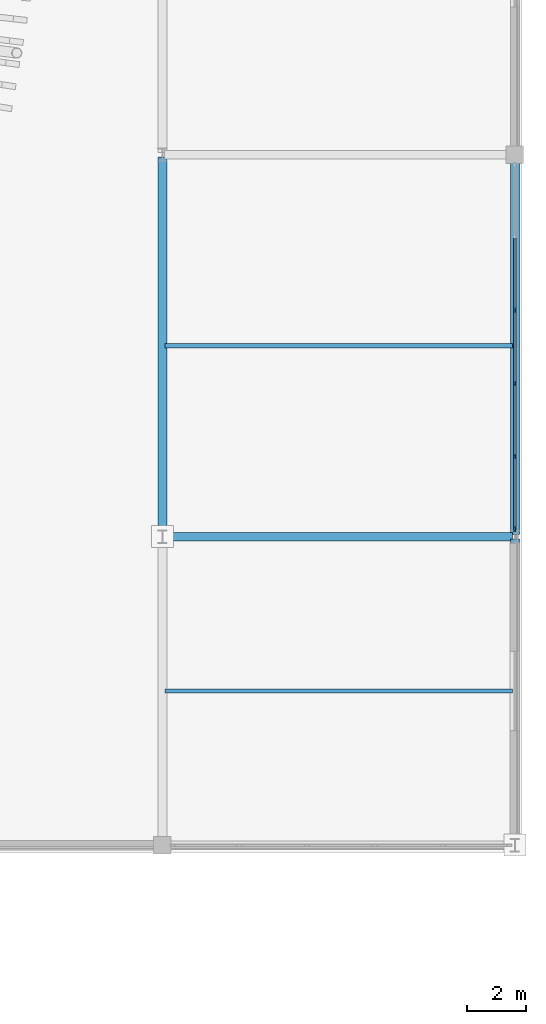
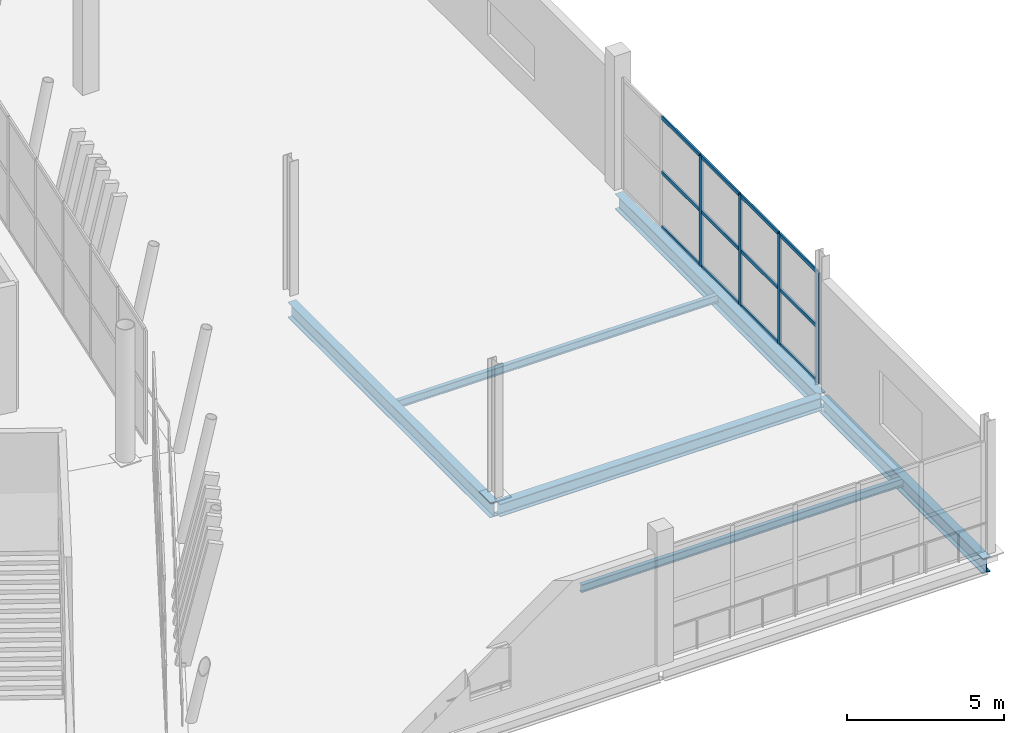
# One storey, part 61 of 178: 16 members, 6 beams, 1 element without a shape of its own.
"""IFC4 building model written with IfcOpenShell, lengths in metres."""

from ifc_helpers import new_model, si_unit, direction, frame, origin, origin_2d, place, context, subcontext, project, spatial, rectangle, i_section, extrude, material, material_profile, profile_set, type_object, element, aggregate, save


model = new_model("IFC4")

# Units and contexts
model_context = context("Model", 3, precision=1e-05, world=origin(), true_north=direction((0.0, 1.0)))
body_context = subcontext(model_context, "Body", "Model", "MODEL_VIEW")
ifc_project = project(units=[si_unit("LENGTHUNIT", "METRE"), si_unit("AREAUNIT", "SQUARE_METRE"), si_unit("VOLUMEUNIT", "CUBIC_METRE"), si_unit("PLANEANGLEUNIT", "RADIAN"), si_unit("MASSUNIT", "GRAM", prefix="KILO")], contexts=[model_context])

# Site, building, storey
site_placement = place(None, origin())
site = spatial("IfcSite", under=ifc_project, at=site_placement, CompositionType="ELEMENT")
building_placement = place(site_placement, origin())
building = spatial("IfcBuilding", under=site, at=building_placement, Name="Zlatoyarsky Gate Stadium", CompositionType="ELEMENT")
storey_placement = place(building_placement, frame((0.0, 0.0, 5.39990234375)))
storey = spatial("IfcBuildingStorey", under=building, at=storey_placement, Name="L01", CompositionType="ELEMENT", Elevation=5.39990234375)

# Curtain wall, members
ifc_material_1 = material(Name="Thermally broken anodised aluminium curtain wall", Category="aluminium")
curtain_wall_type = type_object("IfcCurtainWallType", Name="WINTER GARDEN CONSERVATORY GLAZING", PredefinedType="USERDEFINED", material=ifc_material_1)
curtain_wall_placement = place(storey_placement, origin())
curtain_wall = element("IfcCurtainWall", 1, at=curtain_wall_placement, inside=storey, type_object=curtain_wall_type, Name="Curtain wall CW-V5_EAST-L01-180", ObjectType="UNITISED GLAZING", PredefinedType="USERDEFINED")
ifc_material_2 = material(Name="Anodised aluminium 6063-T6", Category="aluminium")
ifc_material_profile_1 = material_profile(ifc_material_2, rectangle(XDim=0.06494140625, YDim=0.159912109375, at=origin_2d()), Name="ALU 65X160")
ifc_profile_set_1 = profile_set([ifc_material_profile_1], Name="Anodised aluminium 6063-T6")
member_type_1 = type_object("IfcMemberType", Name="ALUMINIUM MULLION 65X160", PredefinedType="MULLION", material=ifc_profile_set_1)
member_1_placement = place(storey_placement, frame((222.0, 54.26953125, 0.0), z_axis=(0.0, 0.0, 1.0), x_axis=(-1.0, 0.0, 0.0)))
member_1 = element("IfcMember", 2, at=member_1_placement, type_object=member_type_1, Name="CW-WG1 mullion 1", PredefinedType="MULLION", context=body_context, shape_type="SweptSolid", body=[
    extrude(rectangle(XDim=0.06494140625, YDim=0.159912109375, at=origin_2d()), origin(), (0.0, 0.0, 1.0), 4.300048828125),
])
member_2_placement = place(storey_placement, frame((222.0, 56.727294921875, 0.0), z_axis=(0.0, 0.0, 1.0), x_axis=(-1.0, 0.0, 0.0)))
member_2 = element("IfcMember", 3, at=member_2_placement, type_object=member_type_1, Name="CW-WG1 mullion 2", PredefinedType="MULLION", context=body_context, shape_type="SweptSolid", body=[
    extrude(rectangle(XDim=0.06494140625, YDim=0.159912109375, at=origin_2d()), origin(), (0.0, 0.0, 1.0), 4.300048828125),
])
member_3_placement = place(storey_placement, frame((222.0, 59.21728515625, 0.0), z_axis=(0.0, 0.0, 1.0), x_axis=(-1.0, 0.0, 0.0)))
member_3 = element("IfcMember", 4, at=member_3_placement, type_object=member_type_1, Name="CW-WG1 mullion 3", PredefinedType="MULLION", context=body_context, shape_type="SweptSolid", body=[
    extrude(rectangle(XDim=0.06494140625, YDim=0.159912109375, at=origin_2d()), origin(), (0.0, 0.0, 1.0), 4.300048828125),
])
member_4_placement = place(storey_placement, frame((222.0, 61.70751953125, 0.0), z_axis=(0.0, 0.0, 1.0), x_axis=(-1.0, 0.0, 0.0)))
member_4 = element("IfcMember", 5, at=member_4_placement, type_object=member_type_1, Name="CW-WG1 mullion 4", PredefinedType="MULLION", context=body_context, shape_type="SweptSolid", body=[
    extrude(rectangle(XDim=0.06494140625, YDim=0.159912109375, at=origin_2d()), origin(), (0.0, 0.0, 1.0), 4.300048828125),
])
ifc_material_profile_2 = material_profile(ifc_material_2, rectangle(XDim=0.06494140625, YDim=0.139892578125, at=origin_2d()), Name="ALU 65X140")
ifc_profile_set_2 = profile_set([ifc_material_profile_2], Name="Anodised aluminium 6063-T6")
member_type_2 = type_object("IfcMemberType", Name="ALUMINIUM TRANSOM 65X140", PredefinedType="USERDEFINED", material=ifc_profile_set_2)
member_5_placement = place(storey_placement, frame((222.0, 54.302001953125, 0.03271484375), z_axis=(0.0, 1.0, 0.0), x_axis=(-1.0, 0.0, 0.0)))
member_5 = element("IfcMember", 6, at=member_5_placement, type_object=member_type_2, Name="CW-WG1 transom 1.1", ObjectType="TRANSOM", PredefinedType="USERDEFINED", context=body_context, shape_type="SweptSolid", body=[
    extrude(rectangle(XDim=0.06494140625, YDim=0.139892578125, at=origin_2d()), origin(), (0.0, 0.0, 1.0), 2.392578125),
])
member_6_placement = place(storey_placement, frame((222.0, 54.302001953125, 2.150146484375), z_axis=(0.0, 1.0, 0.0), x_axis=(-1.0, 0.0, 0.0)))
member_6 = element("IfcMember", 7, at=member_6_placement, type_object=member_type_2, Name="CW-WG1 transom 1.2", ObjectType="TRANSOM", PredefinedType="USERDEFINED", context=body_context, shape_type="SweptSolid", body=[
    extrude(rectangle(XDim=0.06494140625, YDim=0.139892578125, at=origin_2d()), origin(), (0.0, 0.0, 1.0), 2.392578125),
])
member_7_placement = place(storey_placement, frame((222.0, 54.302001953125, 4.267578125), z_axis=(0.0, 1.0, 0.0), x_axis=(-1.0, 0.0, 0.0)))
member_7 = element("IfcMember", 8, at=member_7_placement, type_object=member_type_2, Name="CW-WG1 transom 1.3", ObjectType="TRANSOM", PredefinedType="USERDEFINED", context=body_context, shape_type="SweptSolid", body=[
    extrude(rectangle(XDim=0.06494140625, YDim=0.139892578125, at=origin_2d()), origin(), (0.0, 0.0, 1.0), 2.392578125),
])
member_8_placement = place(storey_placement, frame((222.0, 56.759765625, 0.03271484375), z_axis=(0.0, 1.0, 0.0), x_axis=(-1.0, 0.0, 0.0)))
member_8 = element("IfcMember", 9, at=member_8_placement, type_object=member_type_2, Name="CW-WG1 transom 2.1", ObjectType="TRANSOM", PredefinedType="USERDEFINED", context=body_context, shape_type="SweptSolid", body=[
    extrude(rectangle(XDim=0.06494140625, YDim=0.139892578125, at=origin_2d()), origin(), (0.0, 0.0, 1.0), 2.425048828125),
])
member_9_placement = place(storey_placement, frame((222.0, 56.759765625, 2.150146484375), z_axis=(0.0, 1.0, 0.0), x_axis=(-1.0, 0.0, 0.0)))
member_9 = element("IfcMember", 10, at=member_9_placement, type_object=member_type_2, Name="CW-WG1 transom 2.2", ObjectType="TRANSOM", PredefinedType="USERDEFINED", context=body_context, shape_type="SweptSolid", body=[
    extrude(rectangle(XDim=0.06494140625, YDim=0.139892578125, at=origin_2d()), origin(), (0.0, 0.0, 1.0), 2.425048828125),
])
member_10_placement = place(storey_placement, frame((222.0, 56.759765625, 4.267578125), z_axis=(0.0, 1.0, 0.0), x_axis=(-1.0, 0.0, 0.0)))
member_10 = element("IfcMember", 11, at=member_10_placement, type_object=member_type_2, Name="CW-WG1 transom 2.3", ObjectType="TRANSOM", PredefinedType="USERDEFINED", context=body_context, shape_type="SweptSolid", body=[
    extrude(rectangle(XDim=0.06494140625, YDim=0.139892578125, at=origin_2d()), origin(), (0.0, 0.0, 1.0), 2.425048828125),
])
member_11_placement = place(storey_placement, frame((222.0, 59.25, 0.03271484375), z_axis=(0.0, 1.0, 0.0), x_axis=(-1.0, 0.0, 0.0)))
member_11 = element("IfcMember", 12, at=member_11_placement, type_object=member_type_2, Name="CW-WG1 transom 3.1", ObjectType="TRANSOM", PredefinedType="USERDEFINED", context=body_context, shape_type="SweptSolid", body=[
    extrude(rectangle(XDim=0.06494140625, YDim=0.139892578125, at=origin_2d()), origin(), (0.0, 0.0, 1.0), 2.425048828125),
])
member_12_placement = place(storey_placement, frame((222.0, 59.25, 2.150146484375), z_axis=(0.0, 1.0, 0.0), x_axis=(-1.0, 0.0, 0.0)))
member_12 = element("IfcMember", 13, at=member_12_placement, type_object=member_type_2, Name="CW-WG1 transom 3.2", ObjectType="TRANSOM", PredefinedType="USERDEFINED", context=body_context, shape_type="SweptSolid", body=[
    extrude(rectangle(XDim=0.06494140625, YDim=0.139892578125, at=origin_2d()), origin(), (0.0, 0.0, 1.0), 2.425048828125),
])
member_13_placement = place(storey_placement, frame((222.0, 59.25, 4.267578125), z_axis=(0.0, 1.0, 0.0), x_axis=(-1.0, 0.0, 0.0)))
member_13 = element("IfcMember", 14, at=member_13_placement, type_object=member_type_2, Name="CW-WG1 transom 3.3", ObjectType="TRANSOM", PredefinedType="USERDEFINED", context=body_context, shape_type="SweptSolid", body=[
    extrude(rectangle(XDim=0.06494140625, YDim=0.139892578125, at=origin_2d()), origin(), (0.0, 0.0, 1.0), 2.425048828125),
])
member_14_placement = place(storey_placement, frame((222.0, 61.739990234375, 0.03271484375), z_axis=(0.0, 1.0, 0.0), x_axis=(-1.0, 0.0, 0.0)))
member_14 = element("IfcMember", 15, at=member_14_placement, type_object=member_type_2, Name="CW-WG1 transom 4.1", ObjectType="TRANSOM", PredefinedType="USERDEFINED", context=body_context, shape_type="SweptSolid", body=[
    extrude(rectangle(XDim=0.06494140625, YDim=0.139892578125, at=origin_2d()), origin(), (0.0, 0.0, 1.0), 2.42529296875),
])
member_15_placement = place(storey_placement, frame((222.0, 61.739990234375, 2.150146484375), z_axis=(0.0, 1.0, 0.0), x_axis=(-1.0, 0.0, 0.0)))
member_15 = element("IfcMember", 16, at=member_15_placement, type_object=member_type_2, Name="CW-WG1 transom 4.2", ObjectType="TRANSOM", PredefinedType="USERDEFINED", context=body_context, shape_type="SweptSolid", body=[
    extrude(rectangle(XDim=0.06494140625, YDim=0.139892578125, at=origin_2d()), origin(), (0.0, 0.0, 1.0), 2.42529296875),
])
member_16_placement = place(storey_placement, frame((222.0, 61.739990234375, 4.267578125), z_axis=(0.0, 1.0, 0.0), x_axis=(-1.0, 0.0, 0.0)))
member_16 = element("IfcMember", 17, at=member_16_placement, type_object=member_type_2, Name="CW-WG1 transom 4.3", ObjectType="TRANSOM", PredefinedType="USERDEFINED", context=body_context, shape_type="SweptSolid", body=[
    extrude(rectangle(XDim=0.06494140625, YDim=0.139892578125, at=origin_2d()), origin(), (0.0, 0.0, 1.0), 2.42529296875),
])
aggregate(curtain_wall, [member_1, member_2, member_3, member_4, member_5, member_6, member_7, member_8, member_9, member_10, member_11, member_12, member_13, member_14, member_15, member_16])

# Beams
ifc_material_3 = material(Name="Steel S355", Category="steel")
ifc_material_profile_3 = material_profile(ifc_material_3, i_section(OverallWidth=0.300048828125, OverallDepth=0.5, WebThickness=0.014404296875, FlangeThickness=0.028076171875, FilletRadius=0.027099609375, at=origin_2d()), Name="HEB 500")
ifc_profile_set_3 = profile_set([ifc_material_profile_3], Name="Steel S355")
beam_type_1 = type_object("IfcBeamType", Name="STEEL PRIMARY GIRDER HEB 500", PredefinedType="BEAM", material=ifc_profile_set_3)
beam_1_placement = place(storey_placement, frame((210.080078125, 54.0, -0.5498046875), z_axis=(1.0, 0.0, 0.0), x_axis=(0.0, 1.0, 0.0)))
element("IfcBeam", 18, at=beam_1_placement, inside=storey, type_object=beam_type_1, Name="Beam G-HEB500 BM-L01-WGX-18-F", PredefinedType="BEAM", context=body_context, shape_type="SweptSolid", body=[
    extrude(i_section(OverallWidth=0.300048828125, OverallDepth=0.5, WebThickness=0.014404296875, FlangeThickness=0.028076171875, FilletRadius=0.027099609375, at=origin_2d()), origin(), (0.0, 0.0, 1.0), 11.83984375),
])
ifc_material_profile_4 = material_profile(ifc_material_3, i_section(OverallWidth=0.300048828125, OverallDepth=0.60009765625, WebThickness=0.015380859375, FlangeThickness=0.030029296875, FilletRadius=0.027099609375, at=origin_2d()), Name="HEB 600")
ifc_profile_set_4 = profile_set([ifc_material_profile_4], Name="Steel S355")
beam_type_2 = type_object("IfcBeamType", Name="STEEL PRIMARY GIRDER HEB 600", PredefinedType="BEAM", material=ifc_profile_set_4)
beam_2_placement = place(storey_placement, frame((210.0, 54.080078125, -0.599853515625), z_axis=(0.0, 1.0, 0.0), x_axis=(-1.0, 0.0, 0.0)))
element("IfcBeam", 19, at=beam_2_placement, inside=storey, type_object=beam_type_2, Name="Beam G-HEB600 BM-L01-WGY-18-F", PredefinedType="BEAM", context=body_context, shape_type="SweptSolid", body=[
    extrude(i_section(OverallWidth=0.300048828125, OverallDepth=0.60009765625, WebThickness=0.015380859375, FlangeThickness=0.030029296875, FilletRadius=0.027099609375, at=origin_2d()), origin(), (0.0, 0.0, 1.0), 12.83984375),
])
beam_3_placement = place(storey_placement, frame((222.0, 43.580078125, -0.599853515625), z_axis=(0.0, 1.0, 0.0), x_axis=(-1.0, 0.0, 0.0)))
element("IfcBeam", 20, at=beam_3_placement, inside=storey, type_object=beam_type_2, Name="Beam G-HEB600 BM-L01-WGY-19-E", PredefinedType="BEAM", context=body_context, shape_type="SweptSolid", body=[
    extrude(i_section(OverallWidth=0.300048828125, OverallDepth=0.60009765625, WebThickness=0.015380859375, FlangeThickness=0.030029296875, FilletRadius=0.027099609375, at=origin_2d()), origin(), (0.0, 0.0, 1.0), 10.33984375),
])
beam_4_placement = place(storey_placement, frame((222.0, 54.080078125, -0.599853515625), z_axis=(0.0, 1.0, 0.0), x_axis=(-1.0, 0.0, 0.0)))
element("IfcBeam", 21, at=beam_4_placement, inside=storey, type_object=beam_type_2, Name="Beam G-HEB600 BM-L01-WGY-19-F", PredefinedType="BEAM", context=body_context, shape_type="SweptSolid", body=[
    extrude(i_section(OverallWidth=0.300048828125, OverallDepth=0.60009765625, WebThickness=0.015380859375, FlangeThickness=0.030029296875, FilletRadius=0.027099609375, at=origin_2d()), origin(), (0.0, 0.0, 1.0), 12.83984375),
])
ifc_material_profile_5 = material_profile(ifc_material_3, i_section(OverallWidth=0.14990234375, OverallDepth=0.300048828125, WebThickness=0.007080078125, FlangeThickness=0.0107421875, FilletRadius=0.014892578125, at=origin_2d()), Name="IPE 300")
ifc_profile_set_5 = profile_set([ifc_material_profile_5], Name="Steel S355")
beam_type_3 = type_object("IfcBeamType", Name="STEEL SECONDARY JOIST IPE 300", PredefinedType="JOIST", material=ifc_profile_set_5)
for number, where, z_axis, x_axis, name in (
    (22, (210.090087890625, 48.75, -0.449951171875), (1.0, 0.0, 0.0), (0.0, 1.0, 0.0), "Beam J-IPE300 JST-L01-18-E"),
    (23, (210.090087890625, 60.5, -0.449951171875), (1.0, 0.0, 0.0), (0.0, 1.0, 0.0), "Beam J-IPE300 JST-L01-18-F"),
):
    element("IfcBeam", number, at=place(storey_placement, frame(where, z_axis=z_axis, x_axis=x_axis)), inside=storey, type_object=beam_type_3, Name=name, PredefinedType="JOIST", context=body_context, shape_type="SweptSolid", body=[
        extrude(i_section(OverallWidth=0.14990234375, OverallDepth=0.300048828125, WebThickness=0.007080078125, FlangeThickness=0.0107421875, FilletRadius=0.014892578125, at=origin_2d()), origin(), (0.0, 0.0, 1.0), 11.81982421875),
    ])

save(model, "model.ifc")
